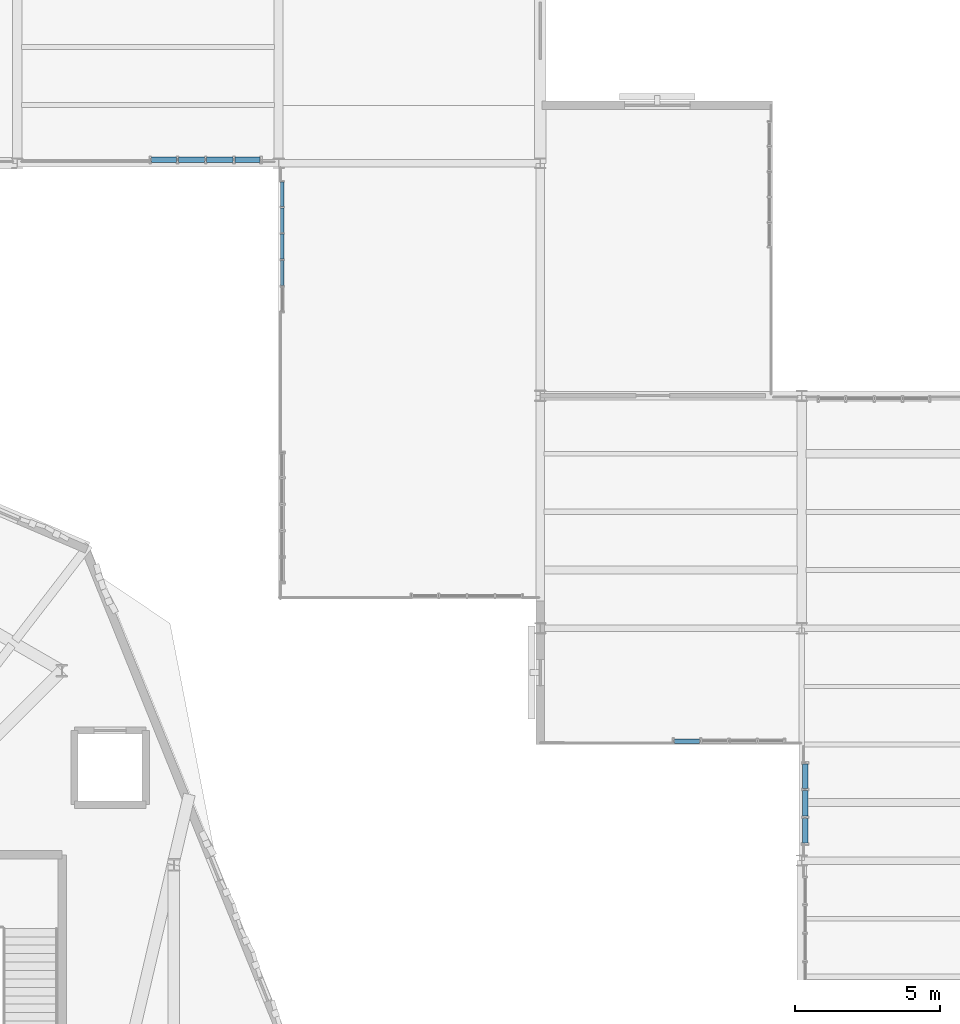
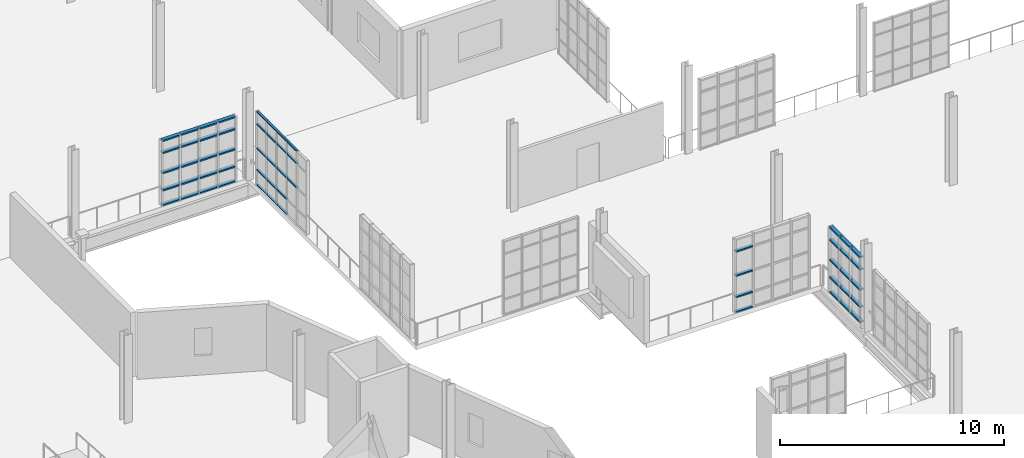
# One storey, part 67 of 122: 57 members, 4 elements without a shape of their own.
"""IFC4 building model written with IfcOpenShell, lengths in metres."""

import ifcopenshell
import ifcopenshell.guid

model = None  # the IFC model being written
_history = None  # IfcOwnerHistory: only IFC2X3 demands one
_inside = {}  # id of a spatial element -> (the spatial element, [elements in it])
_under = {}  # id of a project, library or spatial element -> (it, [spatial elements below it])
_declared = {}  # id of a project -> (the project, [libraries it declares])
_typed = {}  # id of a type object -> (the type object, [elements of that type])
_made_of = {}  # id of a material, layer set ... -> (it, [elements and type objects made of it])


def new_model(schema):
    """Start an empty IFC model of exactly this schema.

    Asked for "IFC4X3", IfcOpenShell would pick the latest addendum, in which some entities
    have other attributes; the version numbers below select the first issue.
    IFC2X3 requires an IfcOwnerHistory on every rooted entity: one is made here for all.
    """
    global model, _history
    if schema == "IFC4X3":
        model = ifcopenshell.file(schema_version=(4, 3, 0, 0))
    else:
        model = ifcopenshell.file(schema=schema)
    _inside.clear()
    _under.clear()
    _declared.clear()
    _typed.clear()
    _made_of.clear()
    _history = None
    if model.schema == "IFC2X3":
        org = make("IfcOrganization", Name="unknown")
        user = make(
            "IfcPersonAndOrganization",
            ThePerson=make("IfcPerson", FamilyName="unknown"),
            TheOrganization=org,
        )
        app = make(
            "IfcApplication",
            ApplicationDeveloper=org,
            Version="unknown",
            ApplicationFullName="unknown",
            ApplicationIdentifier="unknown",
        )
        _history = make(
            "IfcOwnerHistory",
            OwningUser=user,
            OwningApplication=app,
            ChangeAction="ADDED",
            CreationDate=0,
        )
    return model


def make(cls, **values):
    """One entity of the class cls with the attributes given. An attribute that is None is left unset."""
    return model.create_entity(
        cls, **{name: value for name, value in values.items() if value is not None}
    )


def rooted(cls, **values):
    """An entity with a GlobalId (a new one), such as an element, a storey or a relation."""
    return make(cls, GlobalId=ifcopenshell.guid.new(), OwnerHistory=_history, **values)


def si_unit(unit_type, name, prefix=None):
    """IfcSIUnit, for example si_unit("LENGTHUNIT", "METRE", prefix="MILLI")."""
    return make("IfcSIUnit", UnitType=unit_type, Prefix=prefix, Name=name)


def assignment(units):
    """IfcUnitAssignment: the units of a project."""
    return None if units is None else make("IfcUnitAssignment", Units=units)


def point(xyz):
    """IfcCartesianPoint."""
    return None if xyz is None else make("IfcCartesianPoint", Coordinates=xyz)


def direction(xyz):
    """IfcDirection."""
    return None if xyz is None else make("IfcDirection", DirectionRatios=xyz)


def frame(location, z_axis=None, x_axis=None):
    """IfcAxis2Placement3D, a coordinate frame: its origin and axes. An axis left out is left unset."""
    return make(
        "IfcAxis2Placement3D",
        Location=point(location),
        Axis=direction(z_axis),
        RefDirection=direction(x_axis),
    )


def frame_2d(location, x_axis=None):
    """IfcAxis2Placement2D, a coordinate frame in the plane: its origin and x axis."""
    return make(
        "IfcAxis2Placement2D", Location=point(location), RefDirection=direction(x_axis)
    )


def origin():
    """The frame at (0, 0, 0) with its axes left unset."""
    return frame((0.0, 0.0, 0.0))


def origin_2d():
    """The frame at (0, 0) in the plane with its x axis left unset."""
    return frame_2d((0.0, 0.0))


def place(relative_to, where):
    """IfcLocalPlacement: puts the frame where relative to a parent placement (None: the world)."""
    return make(
        "IfcLocalPlacement", PlacementRelTo=relative_to, RelativePlacement=where
    )


def context(
    kind, dimensions, precision=None, world=None, true_north=None, identifier=None
):
    """IfcGeometricRepresentationContext, for example the 3D "Model" context."""
    return make(
        "IfcGeometricRepresentationContext",
        ContextIdentifier=identifier,
        ContextType=kind,
        CoordinateSpaceDimension=dimensions,
        Precision=precision,
        WorldCoordinateSystem=world,
        TrueNorth=true_north,
    )


def subcontext(parent, identifier, kind, view, scale=None):
    """IfcGeometricRepresentationSubContext, for example "Body" below "Model"."""
    return make(
        "IfcGeometricRepresentationSubContext",
        ContextIdentifier=identifier,
        ContextType=kind,
        ParentContext=parent,
        TargetScale=scale,
        TargetView=view,
    )


def project(units=None, contexts=None):
    """IfcProject with its units and contexts."""
    return rooted(
        "IfcProject",
        Name="project",
        RepresentationContexts=contexts,
        UnitsInContext=assignment(units),
    )


def spatial(cls, under=None, at=None, **own):
    """A site, building, storey or space (cls), placed at a placement, below another one or the project."""
    s = rooted(cls, ObjectPlacement=at, **own)
    if under is not None:
        _under.setdefault(under.id(), (under, []))[1].append(s)
    return s


def profile(cls, at=None, kind="AREA", **sizes):
    """A parametric profile (cls). Its sizes go by their IFC names, for example OverallWidth=200.0."""
    return make(cls, ProfileType=kind, Position=at, **sizes)


def hollow_rectangle(**sizes):
    """IfcRectangleHollowProfileDef."""
    return profile("IfcRectangleHollowProfileDef", **sizes)


def extrude(swept, where, along, depth):
    """IfcExtrudedAreaSolid: the profile swept, set in the frame where, extruded along a direction by depth."""
    return make(
        "IfcExtrudedAreaSolid",
        SweptArea=swept,
        Position=where,
        ExtrudedDirection=direction(along),
        Depth=depth,
    )


def shape(context_of_items, identifier, shape_type, items):
    """IfcShapeRepresentation: the items that make up one representation, for example the "Body"."""
    return make(
        "IfcShapeRepresentation",
        ContextOfItems=context_of_items,
        RepresentationIdentifier=identifier,
        RepresentationType=shape_type,
        Items=items,
    )


def material(Name=None, Category=None):
    """IfcMaterial."""
    return make("IfcMaterial", Name=Name, Category=Category)


def layer(
    of_material, thickness, ventilated=None, Name=None, Category=None, Priority=None
):
    """IfcMaterialLayer: one layer of a wall or slab, of a material (None: an air gap)."""
    return make(
        "IfcMaterialLayer",
        Material=of_material,
        LayerThickness=thickness,
        IsVentilated=ventilated,
        Name=Name,
        Category=Category,
        Priority=Priority,
    )


def layer_set(layers, Name=None):
    """IfcMaterialLayerSet."""
    return make("IfcMaterialLayerSet", MaterialLayers=layers, LayerSetName=Name)


def material_profile(
    of_material, cross_section, Name=None, Category=None, Priority=None
):
    """IfcMaterialProfile: a cross section and its material."""
    return make(
        "IfcMaterialProfile",
        Name=Name,
        Material=of_material,
        Profile=cross_section,
        Priority=Priority,
        Category=Category,
    )


def profile_set(profiles, Name=None, composite=None):
    """IfcMaterialProfileSet."""
    return make(
        "IfcMaterialProfileSet",
        Name=Name,
        MaterialProfiles=profiles,
        CompositeProfile=composite,
    )


def made_of(thing, what):
    """Note that an element or type object is made of a material, layer set ...; save() writes the relation."""
    if what is not None:
        _made_of.setdefault(what.id(), (what, []))[1].append(thing)
    return thing


def type_object(cls, material=None, **own):
    """A type object (cls), such as IfcWallType, which elements share."""
    return made_of(rooted(cls, **own), material)


def element(
    cls,
    number,
    at=None,
    inside=None,
    cuts=None,
    type_object=None,
    material=None,
    context=None,
    identifier="Body",
    shape_type=None,
    held_by="IfcProductDefinitionShape",
    body=None,
    shapes=None,
    **own,
):
    """One element of the class cls, such as IfcWall. Its Tag is "e" and its number.

    at: its placement. inside: the storey or other place that contains it. cuts: it is an
    opening in that element (IfcRelVoidsElement). A single representation is given by context,
    identifier, shape_type and body (its items); several are given by shapes. held_by: the class
    of the entity that holds the representations. save() writes the other relations.
    """
    e = rooted(cls, Tag="e%d" % number, ObjectPlacement=at, **own)
    if body is not None:
        shapes = [shape(context, identifier, shape_type, body)]
    if shapes is not None:
        e.Representation = make(held_by, Representations=shapes)
    if inside is not None:
        _inside.setdefault(inside.id(), (inside, []))[1].append(e)
    if cuts is not None:
        rooted(
            "IfcRelVoidsElement", RelatingBuildingElement=cuts, RelatedOpeningElement=e
        )
    if type_object is not None:
        _typed.setdefault(type_object.id(), (type_object, []))[1].append(e)
    return made_of(e, material)


def aggregate(whole, parts):
    """IfcRelAggregates: a whole, such as a stair, and the parts it consists of."""
    return rooted("IfcRelAggregates", RelatingObject=whole, RelatedObjects=parts)


def save(model, path):
    """Write the relations noted so far, then the file.

    IfcRelAggregates (storeys below a building ...), IfcRelContainedInSpatialStructure (elements
    in a storey), IfcRelDefinesByType, IfcRelAssociatesMaterial and IfcRelDeclares: one each for
    every whole, place, type object, material and project.
    """
    for whole, parts in _under.values():
        aggregate(whole, parts)
    for where, things in _inside.values():
        rooted(
            "IfcRelContainedInSpatialStructure",
            RelatedElements=things,
            RelatingStructure=where,
        )
    for kind, things in _typed.values():
        rooted("IfcRelDefinesByType", RelatedObjects=things, RelatingType=kind)
    for what, things in _made_of.values():
        rooted("IfcRelAssociatesMaterial", RelatedObjects=things, RelatingMaterial=what)
    for by, libraries in _declared.values():
        rooted("IfcRelDeclares", RelatingContext=by, RelatedDefinitions=libraries)
    model.write(path)


model = new_model("IFC4")

# Units and contexts
model_context = context("Model", 3, precision=1e-05, world=origin(), true_north=direction((0.0, 1.0)))
body_context = subcontext(model_context, "Body", "Model", "MODEL_VIEW")
ifc_project = project(units=[si_unit("LENGTHUNIT", "METRE"), si_unit("AREAUNIT", "SQUARE_METRE"), si_unit("VOLUMEUNIT", "CUBIC_METRE"), si_unit("PLANEANGLEUNIT", "RADIAN"), si_unit("MASSUNIT", "GRAM", prefix="KILO"), si_unit("THERMODYNAMICTEMPERATUREUNIT", "KELVIN"), si_unit("POWERUNIT", "WATT")], contexts=[model_context])

# Site, building, storey
site_placement = place(None, origin())
site = spatial("IfcSite", under=ifc_project, at=site_placement, CompositionType="ELEMENT")
building_placement = place(site_placement, origin())
building = spatial("IfcBuilding", under=site, at=building_placement, Name="Zelmaris Science Centre", CompositionType="ELEMENT")
storey_placement = place(building_placement, frame((0.0, 0.0, 10.800048828125)))
storey = spatial("IfcBuildingStorey", under=building, at=storey_placement, Name="L02", CompositionType="ELEMENT", Elevation=10.800048828125)

# Curtain wall, members
ifc_material = material(Name="Anodised architectural aluminium 6063-T6", Category="aluminium")
ifc_layer_1 = layer(ifc_material, 0.219970703125, Name="Anodised architectural aluminium 6063-T6")
ifc_layer_set_1 = layer_set([ifc_layer_1], Name="Anodised architectural aluminium 6063-T6")
curtain_wall_type_1 = type_object("IfcCurtainWallType", Name="Curtain Wall CW-04", PredefinedType="USERDEFINED", material=ifc_layer_set_1)
curtain_wall_1_placement = place(storey_placement, origin())
curtain_wall_1 = element("IfcCurtainWall", 1, at=curtain_wall_1_placement, inside=storey, type_object=curtain_wall_type_1, Name="L02 Unitised curtain wall 272", ObjectType="GLAZED CURTAIN WALL", PredefinedType="USERDEFINED")
ifc_material_profile_1 = material_profile(ifc_material, hollow_rectangle(XDim=0.06005859375, YDim=0.110107421875, WallThickness=0.0029296875, at=origin_2d()), Name="ALU-TRN-60X110")
ifc_profile_set_1 = profile_set([ifc_material_profile_1], Name="Anodised architectural aluminium 6063-T6")
member_type_1 = type_object("IfcMemberType", Name="ALU-TRN-60X110", PredefinedType="USERDEFINED", material=ifc_profile_set_1)
member_1_placement = place(storey_placement, frame((99.1201171875, 59.7939453125, 2.00244140625), z_axis=(0.0, 1.0, 0.0), x_axis=(0.0, 0.0, 1.0)))
member_1 = element("IfcMember", 2, at=member_1_placement, type_object=member_type_1, Name="CW-04 transom 2.3", ObjectType="TRANSOM", PredefinedType="USERDEFINED", context=body_context, shape_type="SweptSolid", body=[
    extrude(hollow_rectangle(XDim=0.06005859375, YDim=0.110107421875, WallThickness=0.0029296875, at=origin_2d()), origin(), (0.0, 0.0, 1.0), 0.85595703125),
])
member_2_placement = place(storey_placement, frame((99.1201171875, 59.7939453125, 3.320068359375), z_axis=(0.0, 1.0, 0.0), x_axis=(0.0, 0.0, 1.0)))
member_2 = element("IfcMember", 3, at=member_2_placement, type_object=member_type_1, Name="CW-04 transom 2.4", ObjectType="TRANSOM", PredefinedType="USERDEFINED", context=body_context, shape_type="SweptSolid", body=[
    extrude(hollow_rectangle(XDim=0.06005859375, YDim=0.110107421875, WallThickness=0.0029296875, at=origin_2d()), origin(), (0.0, 0.0, 1.0), 0.85595703125),
])
member_3_placement = place(storey_placement, frame((99.1201171875, 59.7939453125, 3.993896484375), z_axis=(0.0, 1.0, 0.0), x_axis=(0.0, 0.0, 1.0)))
member_3 = element("IfcMember", 4, at=member_3_placement, type_object=member_type_1, Name="CW-04 transom 2.5", ObjectType="TRANSOM", PredefinedType="USERDEFINED", context=body_context, shape_type="SweptSolid", body=[
    extrude(hollow_rectangle(XDim=0.06005859375, YDim=0.110107421875, WallThickness=0.0029296875, at=origin_2d()), origin(), (0.0, 0.0, 1.0), 0.85595703125),
])
member_4_placement = place(storey_placement, frame((99.1201171875, 60.701904296875, 0.010986328125), z_axis=(0.0, 1.0, 0.0), x_axis=(0.0, 0.0, 1.0)))
member_4 = element("IfcMember", 5, at=member_4_placement, type_object=member_type_1, Name="CW-04 transom 3.1", ObjectType="TRANSOM", PredefinedType="USERDEFINED", context=body_context, shape_type="SweptSolid", body=[
    extrude(hollow_rectangle(XDim=0.06005859375, YDim=0.110107421875, WallThickness=0.0029296875, at=origin_2d()), origin(), (0.0, 0.0, 1.0), 0.856201171875),
])
member_5_placement = place(storey_placement, frame((99.1201171875, 60.701904296875, 0.8349609375), z_axis=(0.0, 1.0, 0.0), x_axis=(0.0, 0.0, 1.0)))
member_5 = element("IfcMember", 6, at=member_5_placement, type_object=member_type_1, Name="CW-04 transom 3.2", ObjectType="TRANSOM", PredefinedType="USERDEFINED", context=body_context, shape_type="SweptSolid", body=[
    extrude(hollow_rectangle(XDim=0.06005859375, YDim=0.110107421875, WallThickness=0.0029296875, at=origin_2d()), origin(), (0.0, 0.0, 1.0), 0.856201171875),
])
member_6_placement = place(storey_placement, frame((99.1201171875, 60.701904296875, 2.00244140625), z_axis=(0.0, 1.0, 0.0), x_axis=(0.0, 0.0, 1.0)))
member_6 = element("IfcMember", 7, at=member_6_placement, type_object=member_type_1, Name="CW-04 transom 3.3", ObjectType="TRANSOM", PredefinedType="USERDEFINED", context=body_context, shape_type="SweptSolid", body=[
    extrude(hollow_rectangle(XDim=0.06005859375, YDim=0.110107421875, WallThickness=0.0029296875, at=origin_2d()), origin(), (0.0, 0.0, 1.0), 0.856201171875),
])
member_7_placement = place(storey_placement, frame((99.1201171875, 60.701904296875, 3.320068359375), z_axis=(0.0, 1.0, 0.0), x_axis=(0.0, 0.0, 1.0)))
member_7 = element("IfcMember", 8, at=member_7_placement, type_object=member_type_1, Name="CW-04 transom 3.4", ObjectType="TRANSOM", PredefinedType="USERDEFINED", context=body_context, shape_type="SweptSolid", body=[
    extrude(hollow_rectangle(XDim=0.06005859375, YDim=0.110107421875, WallThickness=0.0029296875, at=origin_2d()), origin(), (0.0, 0.0, 1.0), 0.856201171875),
])
member_8_placement = place(storey_placement, frame((99.1201171875, 60.701904296875, 3.993896484375), z_axis=(0.0, 1.0, 0.0), x_axis=(0.0, 0.0, 1.0)))
member_8 = element("IfcMember", 9, at=member_8_placement, type_object=member_type_1, Name="CW-04 transom 3.5", ObjectType="TRANSOM", PredefinedType="USERDEFINED", context=body_context, shape_type="SweptSolid", body=[
    extrude(hollow_rectangle(XDim=0.06005859375, YDim=0.110107421875, WallThickness=0.0029296875, at=origin_2d()), origin(), (0.0, 0.0, 1.0), 0.856201171875),
])
member_9_placement = place(storey_placement, frame((99.1201171875, 61.610107421875, 0.010986328125), z_axis=(0.0, 1.0, 0.0), x_axis=(0.0, 0.0, 1.0)))
member_9 = element("IfcMember", 10, at=member_9_placement, type_object=member_type_1, Name="CW-04 transom 4.1", ObjectType="TRANSOM", PredefinedType="USERDEFINED", context=body_context, shape_type="SweptSolid", body=[
    extrude(hollow_rectangle(XDim=0.06005859375, YDim=0.110107421875, WallThickness=0.0029296875, at=origin_2d()), origin(), (0.0, 0.0, 1.0), 0.85595703125),
])
member_10_placement = place(storey_placement, frame((99.1201171875, 61.610107421875, 0.8349609375), z_axis=(0.0, 1.0, 0.0), x_axis=(0.0, 0.0, 1.0)))
member_10 = element("IfcMember", 11, at=member_10_placement, type_object=member_type_1, Name="CW-04 transom 4.2", ObjectType="TRANSOM", PredefinedType="USERDEFINED", context=body_context, shape_type="SweptSolid", body=[
    extrude(hollow_rectangle(XDim=0.06005859375, YDim=0.110107421875, WallThickness=0.0029296875, at=origin_2d()), origin(), (0.0, 0.0, 1.0), 0.85595703125),
])
member_11_placement = place(storey_placement, frame((99.1201171875, 61.610107421875, 2.00244140625), z_axis=(0.0, 1.0, 0.0), x_axis=(0.0, 0.0, 1.0)))
member_11 = element("IfcMember", 12, at=member_11_placement, type_object=member_type_1, Name="CW-04 transom 4.3", ObjectType="TRANSOM", PredefinedType="USERDEFINED", context=body_context, shape_type="SweptSolid", body=[
    extrude(hollow_rectangle(XDim=0.06005859375, YDim=0.110107421875, WallThickness=0.0029296875, at=origin_2d()), origin(), (0.0, 0.0, 1.0), 0.85595703125),
])
member_12_placement = place(storey_placement, frame((99.1201171875, 61.610107421875, 3.320068359375), z_axis=(0.0, 1.0, 0.0), x_axis=(0.0, 0.0, 1.0)))
member_12 = element("IfcMember", 13, at=member_12_placement, type_object=member_type_1, Name="CW-04 transom 4.4", ObjectType="TRANSOM", PredefinedType="USERDEFINED", context=body_context, shape_type="SweptSolid", body=[
    extrude(hollow_rectangle(XDim=0.06005859375, YDim=0.110107421875, WallThickness=0.0029296875, at=origin_2d()), origin(), (0.0, 0.0, 1.0), 0.85595703125),
])
member_13_placement = place(storey_placement, frame((99.1201171875, 61.610107421875, 3.993896484375), z_axis=(0.0, 1.0, 0.0), x_axis=(0.0, 0.0, 1.0)))
member_13 = element("IfcMember", 14, at=member_13_placement, type_object=member_type_1, Name="CW-04 transom 4.5", ObjectType="TRANSOM", PredefinedType="USERDEFINED", context=body_context, shape_type="SweptSolid", body=[
    extrude(hollow_rectangle(XDim=0.06005859375, YDim=0.110107421875, WallThickness=0.0029296875, at=origin_2d()), origin(), (0.0, 0.0, 1.0), 0.85595703125),
])
member_14_placement = place(storey_placement, frame((99.1201171875, 62.51806640625, 0.010986328125), z_axis=(0.0, 1.0, 0.0), x_axis=(0.0, 0.0, 1.0)))
member_14 = element("IfcMember", 15, at=member_14_placement, type_object=member_type_1, Name="CW-04 transom 5.1", ObjectType="TRANSOM", PredefinedType="USERDEFINED", context=body_context, shape_type="SweptSolid", body=[
    extrude(hollow_rectangle(XDim=0.06005859375, YDim=0.110107421875, WallThickness=0.0029296875, at=origin_2d()), origin(), (0.0, 0.0, 1.0), 0.829833984375),
])
member_15_placement = place(storey_placement, frame((99.1201171875, 62.51806640625, 0.8349609375), z_axis=(0.0, 1.0, 0.0), x_axis=(0.0, 0.0, 1.0)))
member_15 = element("IfcMember", 16, at=member_15_placement, type_object=member_type_1, Name="CW-04 transom 5.2", ObjectType="TRANSOM", PredefinedType="USERDEFINED", context=body_context, shape_type="SweptSolid", body=[
    extrude(hollow_rectangle(XDim=0.06005859375, YDim=0.110107421875, WallThickness=0.0029296875, at=origin_2d()), origin(), (0.0, 0.0, 1.0), 0.829833984375),
])
member_16_placement = place(storey_placement, frame((99.1201171875, 62.51806640625, 2.00244140625), z_axis=(0.0, 1.0, 0.0), x_axis=(0.0, 0.0, 1.0)))
member_16 = element("IfcMember", 17, at=member_16_placement, type_object=member_type_1, Name="CW-04 transom 5.3", ObjectType="TRANSOM", PredefinedType="USERDEFINED", context=body_context, shape_type="SweptSolid", body=[
    extrude(hollow_rectangle(XDim=0.06005859375, YDim=0.110107421875, WallThickness=0.0029296875, at=origin_2d()), origin(), (0.0, 0.0, 1.0), 0.829833984375),
])
member_17_placement = place(storey_placement, frame((99.1201171875, 62.51806640625, 3.320068359375), z_axis=(0.0, 1.0, 0.0), x_axis=(0.0, 0.0, 1.0)))
member_17 = element("IfcMember", 18, at=member_17_placement, type_object=member_type_1, Name="CW-04 transom 5.4", ObjectType="TRANSOM", PredefinedType="USERDEFINED", context=body_context, shape_type="SweptSolid", body=[
    extrude(hollow_rectangle(XDim=0.06005859375, YDim=0.110107421875, WallThickness=0.0029296875, at=origin_2d()), origin(), (0.0, 0.0, 1.0), 0.829833984375),
])
member_18_placement = place(storey_placement, frame((99.1201171875, 62.51806640625, 3.993896484375), z_axis=(0.0, 1.0, 0.0), x_axis=(0.0, 0.0, 1.0)))
member_18 = element("IfcMember", 19, at=member_18_placement, type_object=member_type_1, Name="CW-04 transom 5.5", ObjectType="TRANSOM", PredefinedType="USERDEFINED", context=body_context, shape_type="SweptSolid", body=[
    extrude(hollow_rectangle(XDim=0.06005859375, YDim=0.110107421875, WallThickness=0.0029296875, at=origin_2d()), origin(), (0.0, 0.0, 1.0), 0.829833984375),
])
aggregate(curtain_wall_1, [member_1, member_2, member_3, member_4, member_5, member_6, member_7, member_8, member_9, member_10, member_11, member_12, member_13, member_14, member_15, member_16, member_17, member_18])

ifc_layer_2 = layer(ifc_material, 0.199951171875, Name="Anodised architectural aluminium 6063-T6")
ifc_layer_set_2 = layer_set([ifc_layer_2], Name="Anodised architectural aluminium 6063-T6")
curtain_wall_type_2 = type_object("IfcCurtainWallType", Name="Curtain Wall CW-02", PredefinedType="USERDEFINED", material=ifc_layer_set_2)
curtain_wall_2_placement = place(storey_placement, origin())
curtain_wall_2 = element("IfcCurtainWall", 20, at=curtain_wall_2_placement, inside=storey, type_object=curtain_wall_type_2, Name="L02 Unitised curtain wall 266", ObjectType="GLAZED CURTAIN WALL", PredefinedType="USERDEFINED")
ifc_material_profile_2 = material_profile(ifc_material, hollow_rectangle(XDim=0.074951171875, YDim=0.159912109375, WallThickness=0.00390625, at=origin_2d()), Name="ALU-TRN-75X160")
ifc_profile_set_2 = profile_set([ifc_material_profile_2], Name="Anodised architectural aluminium 6063-T6")
member_type_2 = type_object("IfcMemberType", Name="ALU-TRN-75X160", PredefinedType="USERDEFINED", material=ifc_profile_set_2)
member_19_placement = place(storey_placement, frame((113.488037109375, 44.111572265625, 0.0185546875), z_axis=(-0.999998588464, 0.001680199253, 0.0), x_axis=(0.0, 0.0, 1.0)))
member_19 = element("IfcMember", 21, at=member_19_placement, type_object=member_type_2, Name="CW-02 transom 4.1", ObjectType="TRANSOM", PredefinedType="USERDEFINED", context=body_context, shape_type="SweptSolid", body=[
    extrude(hollow_rectangle(XDim=0.074951171875, YDim=0.159912109375, WallThickness=0.00390625, at=origin_2d()), origin(), (0.0, 0.0, 1.0), 0.871826171875),
])
member_20_placement = place(storey_placement, frame((113.488037109375, 44.111572265625, 0.8349609375), z_axis=(-0.999998588464, 0.001680199253, 0.0), x_axis=(0.0, 0.0, 1.0)))
member_20 = element("IfcMember", 22, at=member_20_placement, type_object=member_type_2, Name="CW-02 transom 4.2", ObjectType="TRANSOM", PredefinedType="USERDEFINED", context=body_context, shape_type="SweptSolid", body=[
    extrude(hollow_rectangle(XDim=0.074951171875, YDim=0.159912109375, WallThickness=0.00390625, at=origin_2d()), origin(), (0.0, 0.0, 1.0), 0.871826171875),
])
member_21_placement = place(storey_placement, frame((113.488037109375, 44.111572265625, 2.00244140625), z_axis=(-0.999998588464, 0.001680199253, 0.0), x_axis=(0.0, 0.0, 1.0)))
member_21 = element("IfcMember", 23, at=member_21_placement, type_object=member_type_2, Name="CW-02 transom 4.3", ObjectType="TRANSOM", PredefinedType="USERDEFINED", context=body_context, shape_type="SweptSolid", body=[
    extrude(hollow_rectangle(XDim=0.074951171875, YDim=0.159912109375, WallThickness=0.00390625, at=origin_2d()), origin(), (0.0, 0.0, 1.0), 0.871826171875),
])
member_22_placement = place(storey_placement, frame((113.488037109375, 44.111572265625, 3.320068359375), z_axis=(-0.999998588464, 0.001680199253, 0.0), x_axis=(0.0, 0.0, 1.0)))
member_22 = element("IfcMember", 24, at=member_22_placement, type_object=member_type_2, Name="CW-02 transom 4.4", ObjectType="TRANSOM", PredefinedType="USERDEFINED", context=body_context, shape_type="SweptSolid", body=[
    extrude(hollow_rectangle(XDim=0.074951171875, YDim=0.159912109375, WallThickness=0.00390625, at=origin_2d()), origin(), (0.0, 0.0, 1.0), 0.871826171875),
])
aggregate(curtain_wall_2, [member_19, member_20, member_21, member_22])

ifc_layer_3 = layer(ifc_material, 0.18994140625, Name="Anodised architectural aluminium 6063-T6")
ifc_layer_set_3 = layer_set([ifc_layer_3], Name="Anodised architectural aluminium 6063-T6")
curtain_wall_type_3 = type_object("IfcCurtainWallType", Name="Curtain Wall CW-01", PredefinedType="USERDEFINED", material=ifc_layer_set_3)
curtain_wall_3_placement = place(storey_placement, origin())
curtain_wall_3 = element("IfcCurtainWall", 25, at=curtain_wall_3_placement, inside=storey, type_object=curtain_wall_type_3, Name="L02 Unitised curtain wall 265", ObjectType="GLAZED CURTAIN WALL", PredefinedType="USERDEFINED")
ifc_material_profile_3 = material_profile(ifc_material, hollow_rectangle(XDim=0.080078125, YDim=0.18994140625, WallThickness=0.00439453125, at=origin_2d()), Name="ALU-TRN-80X190")
ifc_profile_set_3 = profile_set([ifc_material_profile_3], Name="Anodised architectural aluminium 6063-T6")
member_type_3 = type_object("IfcMemberType", Name="ALU-TRN-80X190", PredefinedType="USERDEFINED", material=ifc_profile_set_3)
member_23_placement = place(storey_placement, frame((117.116455078125, 40.61181640625, 0.02099609375), z_axis=(0.00115506709, 0.99999933291, 0.0), x_axis=(0.0, 0.0, 1.0)))
member_23 = element("IfcMember", 26, at=member_23_placement, type_object=member_type_3, Name="CW-01 transom 1.1", ObjectType="TRANSOM", PredefinedType="USERDEFINED", context=body_context, shape_type="SweptSolid", body=[
    extrude(hollow_rectangle(XDim=0.080078125, YDim=0.18994140625, WallThickness=0.00439453125, at=origin_2d()), origin(), (0.0, 0.0, 1.0), 0.845458984375),
])
member_24_placement = place(storey_placement, frame((117.116455078125, 40.61181640625, 0.8349609375), z_axis=(0.00115506709, 0.99999933291, 0.0), x_axis=(0.0, 0.0, 1.0)))
member_24 = element("IfcMember", 27, at=member_24_placement, type_object=member_type_3, Name="CW-01 transom 1.2", ObjectType="TRANSOM", PredefinedType="USERDEFINED", context=body_context, shape_type="SweptSolid", body=[
    extrude(hollow_rectangle(XDim=0.080078125, YDim=0.18994140625, WallThickness=0.00439453125, at=origin_2d()), origin(), (0.0, 0.0, 1.0), 0.845458984375),
])
member_25_placement = place(storey_placement, frame((117.116455078125, 40.61181640625, 1.781494140625), z_axis=(0.00115506709, 0.99999933291, 0.0), x_axis=(0.0, 0.0, 1.0)))
member_25 = element("IfcMember", 28, at=member_25_placement, type_object=member_type_3, Name="CW-01 transom 1.3", ObjectType="TRANSOM", PredefinedType="USERDEFINED", context=body_context, shape_type="SweptSolid", body=[
    extrude(hollow_rectangle(XDim=0.080078125, YDim=0.18994140625, WallThickness=0.00439453125, at=origin_2d()), origin(), (0.0, 0.0, 1.0), 0.845458984375),
])
member_26_placement = place(storey_placement, frame((117.116455078125, 40.61181640625, 2.8779296875), z_axis=(0.00115506709, 0.99999933291, 0.0), x_axis=(0.0, 0.0, 1.0)))
member_26 = element("IfcMember", 29, at=member_26_placement, type_object=member_type_3, Name="CW-01 transom 1.4", ObjectType="TRANSOM", PredefinedType="USERDEFINED", context=body_context, shape_type="SweptSolid", body=[
    extrude(hollow_rectangle(XDim=0.080078125, YDim=0.18994140625, WallThickness=0.00439453125, at=origin_2d()), origin(), (0.0, 0.0, 1.0), 0.845458984375),
])
member_27_placement = place(storey_placement, frame((117.116455078125, 40.61181640625, 3.5419921875), z_axis=(0.00115506709, 0.99999933291, 0.0), x_axis=(0.0, 0.0, 1.0)))
member_27 = element("IfcMember", 30, at=member_27_placement, type_object=member_type_3, Name="CW-01 transom 1.5", ObjectType="TRANSOM", PredefinedType="USERDEFINED", context=body_context, shape_type="SweptSolid", body=[
    extrude(hollow_rectangle(XDim=0.080078125, YDim=0.18994140625, WallThickness=0.00439453125, at=origin_2d()), origin(), (0.0, 0.0, 1.0), 0.845458984375),
])
member_28_placement = place(storey_placement, frame((117.117431640625, 41.529296875, 0.02099609375), z_axis=(0.001108032561, 0.999999386132, 0.0), x_axis=(0.0, 0.0, 1.0)))
member_28 = element("IfcMember", 31, at=member_28_placement, type_object=member_type_3, Name="CW-01 transom 2.1", ObjectType="TRANSOM", PredefinedType="USERDEFINED", context=body_context, shape_type="SweptSolid", body=[
    extrude(hollow_rectangle(XDim=0.080078125, YDim=0.18994140625, WallThickness=0.00439453125, at=origin_2d()), origin(), (0.0, 0.0, 1.0), 0.88134765625),
])
member_29_placement = place(storey_placement, frame((117.117431640625, 41.529296875, 0.8349609375), z_axis=(0.001108032561, 0.999999386132, 0.0), x_axis=(0.0, 0.0, 1.0)))
member_29 = element("IfcMember", 32, at=member_29_placement, type_object=member_type_3, Name="CW-01 transom 2.2", ObjectType="TRANSOM", PredefinedType="USERDEFINED", context=body_context, shape_type="SweptSolid", body=[
    extrude(hollow_rectangle(XDim=0.080078125, YDim=0.18994140625, WallThickness=0.00439453125, at=origin_2d()), origin(), (0.0, 0.0, 1.0), 0.88134765625),
])
member_30_placement = place(storey_placement, frame((117.117431640625, 41.529296875, 1.781494140625), z_axis=(0.001108032561, 0.999999386132, 0.0), x_axis=(0.0, 0.0, 1.0)))
member_30 = element("IfcMember", 33, at=member_30_placement, type_object=member_type_3, Name="CW-01 transom 2.3", ObjectType="TRANSOM", PredefinedType="USERDEFINED", context=body_context, shape_type="SweptSolid", body=[
    extrude(hollow_rectangle(XDim=0.080078125, YDim=0.18994140625, WallThickness=0.00439453125, at=origin_2d()), origin(), (0.0, 0.0, 1.0), 0.88134765625),
])
member_31_placement = place(storey_placement, frame((117.117431640625, 41.529296875, 2.8779296875), z_axis=(0.001108032561, 0.999999386132, 0.0), x_axis=(0.0, 0.0, 1.0)))
member_31 = element("IfcMember", 34, at=member_31_placement, type_object=member_type_3, Name="CW-01 transom 2.4", ObjectType="TRANSOM", PredefinedType="USERDEFINED", context=body_context, shape_type="SweptSolid", body=[
    extrude(hollow_rectangle(XDim=0.080078125, YDim=0.18994140625, WallThickness=0.00439453125, at=origin_2d()), origin(), (0.0, 0.0, 1.0), 0.88134765625),
])
member_32_placement = place(storey_placement, frame((117.117431640625, 41.529296875, 3.5419921875), z_axis=(0.001108032561, 0.999999386132, 0.0), x_axis=(0.0, 0.0, 1.0)))
member_32 = element("IfcMember", 35, at=member_32_placement, type_object=member_type_3, Name="CW-01 transom 2.5", ObjectType="TRANSOM", PredefinedType="USERDEFINED", context=body_context, shape_type="SweptSolid", body=[
    extrude(hollow_rectangle(XDim=0.080078125, YDim=0.18994140625, WallThickness=0.00439453125, at=origin_2d()), origin(), (0.0, 0.0, 1.0), 0.88134765625),
])
member_33_placement = place(storey_placement, frame((117.118408203125, 42.482666015625, 0.02099609375), z_axis=(0.001155400731, 0.999999332524, 0.0), x_axis=(0.0, 0.0, 1.0)))
member_33 = element("IfcMember", 36, at=member_33_placement, type_object=member_type_3, Name="CW-01 transom 3.1", ObjectType="TRANSOM", PredefinedType="USERDEFINED", context=body_context, shape_type="SweptSolid", body=[
    extrude(hollow_rectangle(XDim=0.080078125, YDim=0.18994140625, WallThickness=0.00439453125, at=origin_2d()), origin(), (0.0, 0.0, 1.0), 0.84521484375),
])
member_34_placement = place(storey_placement, frame((117.118408203125, 42.482666015625, 0.8349609375), z_axis=(0.001155400731, 0.999999332524, 0.0), x_axis=(0.0, 0.0, 1.0)))
member_34 = element("IfcMember", 37, at=member_34_placement, type_object=member_type_3, Name="CW-01 transom 3.2", ObjectType="TRANSOM", PredefinedType="USERDEFINED", context=body_context, shape_type="SweptSolid", body=[
    extrude(hollow_rectangle(XDim=0.080078125, YDim=0.18994140625, WallThickness=0.00439453125, at=origin_2d()), origin(), (0.0, 0.0, 1.0), 0.84521484375),
])
member_35_placement = place(storey_placement, frame((117.118408203125, 42.482666015625, 1.781494140625), z_axis=(0.001155400731, 0.999999332524, 0.0), x_axis=(0.0, 0.0, 1.0)))
member_35 = element("IfcMember", 38, at=member_35_placement, type_object=member_type_3, Name="CW-01 transom 3.3", ObjectType="TRANSOM", PredefinedType="USERDEFINED", context=body_context, shape_type="SweptSolid", body=[
    extrude(hollow_rectangle(XDim=0.080078125, YDim=0.18994140625, WallThickness=0.00439453125, at=origin_2d()), origin(), (0.0, 0.0, 1.0), 0.84521484375),
])
member_36_placement = place(storey_placement, frame((117.118408203125, 42.482666015625, 2.8779296875), z_axis=(0.001155400731, 0.999999332524, 0.0), x_axis=(0.0, 0.0, 1.0)))
member_36 = element("IfcMember", 39, at=member_36_placement, type_object=member_type_3, Name="CW-01 transom 3.4", ObjectType="TRANSOM", PredefinedType="USERDEFINED", context=body_context, shape_type="SweptSolid", body=[
    extrude(hollow_rectangle(XDim=0.080078125, YDim=0.18994140625, WallThickness=0.00439453125, at=origin_2d()), origin(), (0.0, 0.0, 1.0), 0.84521484375),
])
member_37_placement = place(storey_placement, frame((117.118408203125, 42.482666015625, 3.5419921875), z_axis=(0.001155400731, 0.999999332524, 0.0), x_axis=(0.0, 0.0, 1.0)))
member_37 = element("IfcMember", 40, at=member_37_placement, type_object=member_type_3, Name="CW-01 transom 3.5", ObjectType="TRANSOM", PredefinedType="USERDEFINED", context=body_context, shape_type="SweptSolid", body=[
    extrude(hollow_rectangle(XDim=0.080078125, YDim=0.18994140625, WallThickness=0.00439453125, at=origin_2d()), origin(), (0.0, 0.0, 1.0), 0.84521484375),
])
aggregate(curtain_wall_3, [member_23, member_24, member_25, member_26, member_27, member_28, member_29, member_30, member_31, member_32, member_33, member_34, member_35, member_36, member_37])

curtain_wall_4_placement = place(storey_placement, origin())
curtain_wall_4 = element("IfcCurtainWall", 41, at=curtain_wall_4_placement, inside=storey, type_object=curtain_wall_type_3, Name="L02 Unitised curtain wall 273", ObjectType="GLAZED CURTAIN WALL", PredefinedType="USERDEFINED")
member_38_placement = place(storey_placement, frame((98.3564453125, 64.11328125, 0.02099609375), z_axis=(-0.999999839952, 0.000565770772, 0.0), x_axis=(0.0, 0.0, 1.0)))
member_38 = element("IfcMember", 42, at=member_38_placement, type_object=member_type_3, Name="CW-01 transom 1.1", ObjectType="TRANSOM", PredefinedType="USERDEFINED", context=body_context, shape_type="SweptSolid", body=[
    extrude(hollow_rectangle(XDim=0.080078125, YDim=0.18994140625, WallThickness=0.00439453125, at=origin_2d()), origin(), (0.0, 0.0, 1.0), 0.863037109375),
])
member_39_placement = place(storey_placement, frame((98.3564453125, 64.11328125, 0.8349609375), z_axis=(-0.999999839952, 0.000565770772, 0.0), x_axis=(0.0, 0.0, 1.0)))
member_39 = element("IfcMember", 43, at=member_39_placement, type_object=member_type_3, Name="CW-01 transom 1.2", ObjectType="TRANSOM", PredefinedType="USERDEFINED", context=body_context, shape_type="SweptSolid", body=[
    extrude(hollow_rectangle(XDim=0.080078125, YDim=0.18994140625, WallThickness=0.00439453125, at=origin_2d()), origin(), (0.0, 0.0, 1.0), 0.863037109375),
])
member_40_placement = place(storey_placement, frame((98.3564453125, 64.11328125, 1.779052734375), z_axis=(-0.999999839952, 0.000565770772, 0.0), x_axis=(0.0, 0.0, 1.0)))
member_40 = element("IfcMember", 44, at=member_40_placement, type_object=member_type_3, Name="CW-01 transom 1.3", ObjectType="TRANSOM", PredefinedType="USERDEFINED", context=body_context, shape_type="SweptSolid", body=[
    extrude(hollow_rectangle(XDim=0.080078125, YDim=0.18994140625, WallThickness=0.00439453125, at=origin_2d()), origin(), (0.0, 0.0, 1.0), 0.863037109375),
])
member_41_placement = place(storey_placement, frame((98.3564453125, 64.11328125, 2.873046875), z_axis=(-0.999999839952, 0.000565770772, 0.0), x_axis=(0.0, 0.0, 1.0)))
member_41 = element("IfcMember", 45, at=member_41_placement, type_object=member_type_3, Name="CW-01 transom 1.4", ObjectType="TRANSOM", PredefinedType="USERDEFINED", context=body_context, shape_type="SweptSolid", body=[
    extrude(hollow_rectangle(XDim=0.080078125, YDim=0.18994140625, WallThickness=0.00439453125, at=origin_2d()), origin(), (0.0, 0.0, 1.0), 0.863037109375),
])
member_42_placement = place(storey_placement, frame((98.3564453125, 64.11328125, 3.536865234375), z_axis=(-0.999999839952, 0.000565770772, 0.0), x_axis=(0.0, 0.0, 1.0)))
member_42 = element("IfcMember", 46, at=member_42_placement, type_object=member_type_3, Name="CW-01 transom 1.5", ObjectType="TRANSOM", PredefinedType="USERDEFINED", context=body_context, shape_type="SweptSolid", body=[
    extrude(hollow_rectangle(XDim=0.080078125, YDim=0.18994140625, WallThickness=0.00439453125, at=origin_2d()), origin(), (0.0, 0.0, 1.0), 0.863037109375),
])
member_43_placement = place(storey_placement, frame((97.42138671875, 64.11376953125, 0.02099609375), z_axis=(-0.999999852556, 0.000543035489, 0.0), x_axis=(0.0, 0.0, 1.0)))
member_43 = element("IfcMember", 47, at=member_43_placement, type_object=member_type_3, Name="CW-01 transom 2.1", ObjectType="TRANSOM", PredefinedType="USERDEFINED", context=body_context, shape_type="SweptSolid", body=[
    extrude(hollow_rectangle(XDim=0.080078125, YDim=0.18994140625, WallThickness=0.00439453125, at=origin_2d()), origin(), (0.0, 0.0, 1.0), 0.899169921875),
])
member_44_placement = place(storey_placement, frame((97.42138671875, 64.11376953125, 0.8349609375), z_axis=(-0.999999852556, 0.000543035489, 0.0), x_axis=(0.0, 0.0, 1.0)))
member_44 = element("IfcMember", 48, at=member_44_placement, type_object=member_type_3, Name="CW-01 transom 2.2", ObjectType="TRANSOM", PredefinedType="USERDEFINED", context=body_context, shape_type="SweptSolid", body=[
    extrude(hollow_rectangle(XDim=0.080078125, YDim=0.18994140625, WallThickness=0.00439453125, at=origin_2d()), origin(), (0.0, 0.0, 1.0), 0.899169921875),
])
member_45_placement = place(storey_placement, frame((97.42138671875, 64.11376953125, 1.779052734375), z_axis=(-0.999999852556, 0.000543035489, 0.0), x_axis=(0.0, 0.0, 1.0)))
member_45 = element("IfcMember", 49, at=member_45_placement, type_object=member_type_3, Name="CW-01 transom 2.3", ObjectType="TRANSOM", PredefinedType="USERDEFINED", context=body_context, shape_type="SweptSolid", body=[
    extrude(hollow_rectangle(XDim=0.080078125, YDim=0.18994140625, WallThickness=0.00439453125, at=origin_2d()), origin(), (0.0, 0.0, 1.0), 0.899169921875),
])
member_46_placement = place(storey_placement, frame((97.42138671875, 64.11376953125, 2.873046875), z_axis=(-0.999999852556, 0.000543035489, 0.0), x_axis=(0.0, 0.0, 1.0)))
member_46 = element("IfcMember", 50, at=member_46_placement, type_object=member_type_3, Name="CW-01 transom 2.4", ObjectType="TRANSOM", PredefinedType="USERDEFINED", context=body_context, shape_type="SweptSolid", body=[
    extrude(hollow_rectangle(XDim=0.080078125, YDim=0.18994140625, WallThickness=0.00439453125, at=origin_2d()), origin(), (0.0, 0.0, 1.0), 0.899169921875),
])
member_47_placement = place(storey_placement, frame((97.42138671875, 64.11376953125, 3.536865234375), z_axis=(-0.999999852556, 0.000543035489, 0.0), x_axis=(0.0, 0.0, 1.0)))
member_47 = element("IfcMember", 51, at=member_47_placement, type_object=member_type_3, Name="CW-01 transom 2.5", ObjectType="TRANSOM", PredefinedType="USERDEFINED", context=body_context, shape_type="SweptSolid", body=[
    extrude(hollow_rectangle(XDim=0.080078125, YDim=0.18994140625, WallThickness=0.00439453125, at=origin_2d()), origin(), (0.0, 0.0, 1.0), 0.899169921875),
])
member_48_placement = place(storey_placement, frame((96.4501953125, 64.1142578125, 0.02099609375), z_axis=(-0.999999668071, 0.000814774309, 0.0), x_axis=(0.0, 0.0, 1.0)))
member_48 = element("IfcMember", 52, at=member_48_placement, type_object=member_type_3, Name="CW-01 transom 3.1", ObjectType="TRANSOM", PredefinedType="USERDEFINED", context=body_context, shape_type="SweptSolid", body=[
    extrude(hollow_rectangle(XDim=0.080078125, YDim=0.18994140625, WallThickness=0.00439453125, at=origin_2d()), origin(), (0.0, 0.0, 1.0), 0.89892578125),
])
member_49_placement = place(storey_placement, frame((96.4501953125, 64.1142578125, 0.8349609375), z_axis=(-0.999999668071, 0.000814774309, 0.0), x_axis=(0.0, 0.0, 1.0)))
member_49 = element("IfcMember", 53, at=member_49_placement, type_object=member_type_3, Name="CW-01 transom 3.2", ObjectType="TRANSOM", PredefinedType="USERDEFINED", context=body_context, shape_type="SweptSolid", body=[
    extrude(hollow_rectangle(XDim=0.080078125, YDim=0.18994140625, WallThickness=0.00439453125, at=origin_2d()), origin(), (0.0, 0.0, 1.0), 0.89892578125),
])
member_50_placement = place(storey_placement, frame((96.4501953125, 64.1142578125, 1.779052734375), z_axis=(-0.999999668071, 0.000814774309, 0.0), x_axis=(0.0, 0.0, 1.0)))
member_50 = element("IfcMember", 54, at=member_50_placement, type_object=member_type_3, Name="CW-01 transom 3.3", ObjectType="TRANSOM", PredefinedType="USERDEFINED", context=body_context, shape_type="SweptSolid", body=[
    extrude(hollow_rectangle(XDim=0.080078125, YDim=0.18994140625, WallThickness=0.00439453125, at=origin_2d()), origin(), (0.0, 0.0, 1.0), 0.89892578125),
])
member_51_placement = place(storey_placement, frame((96.4501953125, 64.1142578125, 2.873046875), z_axis=(-0.999999668071, 0.000814774309, 0.0), x_axis=(0.0, 0.0, 1.0)))
member_51 = element("IfcMember", 55, at=member_51_placement, type_object=member_type_3, Name="CW-01 transom 3.4", ObjectType="TRANSOM", PredefinedType="USERDEFINED", context=body_context, shape_type="SweptSolid", body=[
    extrude(hollow_rectangle(XDim=0.080078125, YDim=0.18994140625, WallThickness=0.00439453125, at=origin_2d()), origin(), (0.0, 0.0, 1.0), 0.89892578125),
])
member_52_placement = place(storey_placement, frame((96.4501953125, 64.1142578125, 3.536865234375), z_axis=(-0.999999668071, 0.000814774309, 0.0), x_axis=(0.0, 0.0, 1.0)))
member_52 = element("IfcMember", 56, at=member_52_placement, type_object=member_type_3, Name="CW-01 transom 3.5", ObjectType="TRANSOM", PredefinedType="USERDEFINED", context=body_context, shape_type="SweptSolid", body=[
    extrude(hollow_rectangle(XDim=0.080078125, YDim=0.18994140625, WallThickness=0.00439453125, at=origin_2d()), origin(), (0.0, 0.0, 1.0), 0.89892578125),
])
member_53_placement = place(storey_placement, frame((95.479248046875, 64.114990234375, 0.02099609375), z_axis=(-0.999999839952, 0.000565770772, 0.0), x_axis=(0.0, 0.0, 1.0)))
member_53 = element("IfcMember", 57, at=member_53_placement, type_object=member_type_3, Name="CW-01 transom 4.1", ObjectType="TRANSOM", PredefinedType="USERDEFINED", context=body_context, shape_type="SweptSolid", body=[
    extrude(hollow_rectangle(XDim=0.080078125, YDim=0.18994140625, WallThickness=0.00439453125, at=origin_2d()), origin(), (0.0, 0.0, 1.0), 0.863037109375),
])
member_54_placement = place(storey_placement, frame((95.479248046875, 64.114990234375, 0.8349609375), z_axis=(-0.999999839952, 0.000565770772, 0.0), x_axis=(0.0, 0.0, 1.0)))
member_54 = element("IfcMember", 58, at=member_54_placement, type_object=member_type_3, Name="CW-01 transom 4.2", ObjectType="TRANSOM", PredefinedType="USERDEFINED", context=body_context, shape_type="SweptSolid", body=[
    extrude(hollow_rectangle(XDim=0.080078125, YDim=0.18994140625, WallThickness=0.00439453125, at=origin_2d()), origin(), (0.0, 0.0, 1.0), 0.863037109375),
])
member_55_placement = place(storey_placement, frame((95.479248046875, 64.114990234375, 1.779052734375), z_axis=(-0.999999839952, 0.000565770772, 0.0), x_axis=(0.0, 0.0, 1.0)))
member_55 = element("IfcMember", 59, at=member_55_placement, type_object=member_type_3, Name="CW-01 transom 4.3", ObjectType="TRANSOM", PredefinedType="USERDEFINED", context=body_context, shape_type="SweptSolid", body=[
    extrude(hollow_rectangle(XDim=0.080078125, YDim=0.18994140625, WallThickness=0.00439453125, at=origin_2d()), origin(), (0.0, 0.0, 1.0), 0.863037109375),
])
member_56_placement = place(storey_placement, frame((95.479248046875, 64.114990234375, 2.873046875), z_axis=(-0.999999839952, 0.000565770772, 0.0), x_axis=(0.0, 0.0, 1.0)))
member_56 = element("IfcMember", 60, at=member_56_placement, type_object=member_type_3, Name="CW-01 transom 4.4", ObjectType="TRANSOM", PredefinedType="USERDEFINED", context=body_context, shape_type="SweptSolid", body=[
    extrude(hollow_rectangle(XDim=0.080078125, YDim=0.18994140625, WallThickness=0.00439453125, at=origin_2d()), origin(), (0.0, 0.0, 1.0), 0.863037109375),
])
member_57_placement = place(storey_placement, frame((95.479248046875, 64.114990234375, 3.536865234375), z_axis=(-0.999999839952, 0.000565770772, 0.0), x_axis=(0.0, 0.0, 1.0)))
member_57 = element("IfcMember", 61, at=member_57_placement, type_object=member_type_3, Name="CW-01 transom 4.5", ObjectType="TRANSOM", PredefinedType="USERDEFINED", context=body_context, shape_type="SweptSolid", body=[
    extrude(hollow_rectangle(XDim=0.080078125, YDim=0.18994140625, WallThickness=0.00439453125, at=origin_2d()), origin(), (0.0, 0.0, 1.0), 0.863037109375),
])
aggregate(curtain_wall_4, [member_38, member_39, member_40, member_41, member_42, member_43, member_44, member_45, member_46, member_47, member_48, member_49, member_50, member_51, member_52, member_53, member_54, member_55, member_56, member_57])

save(model, "model.ifc")
